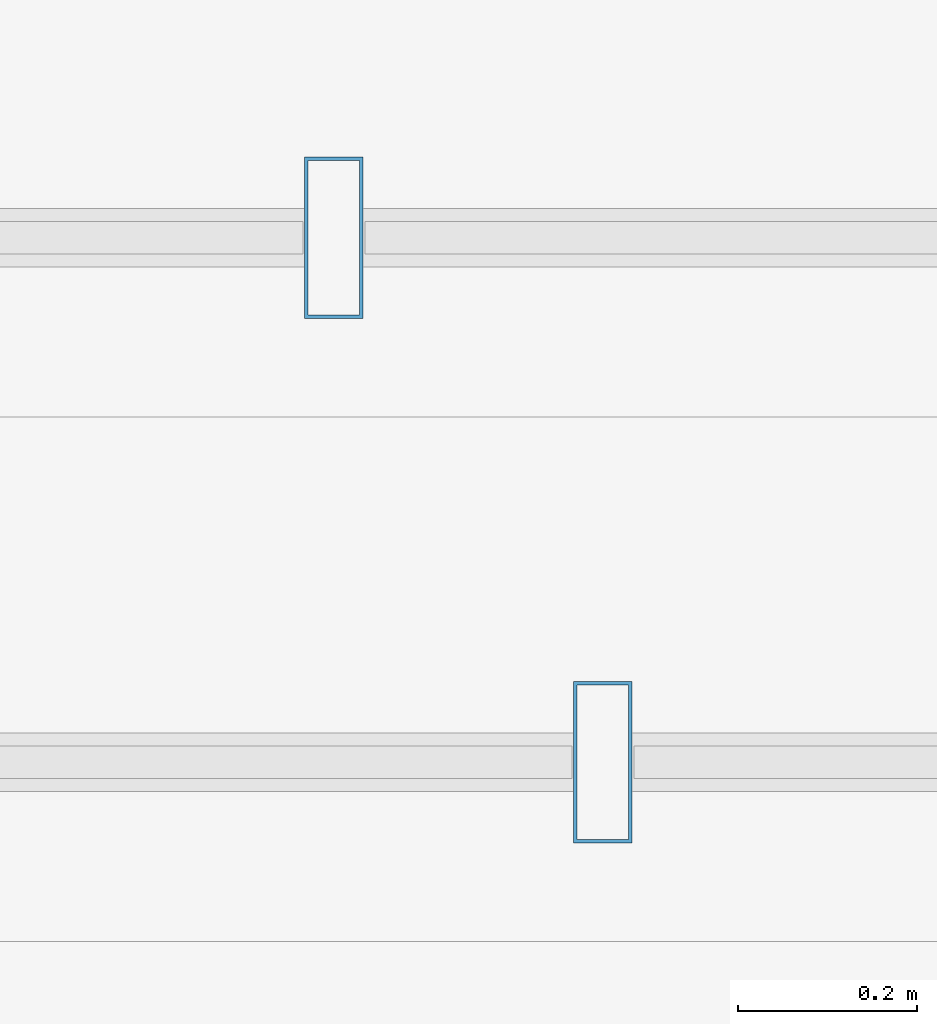
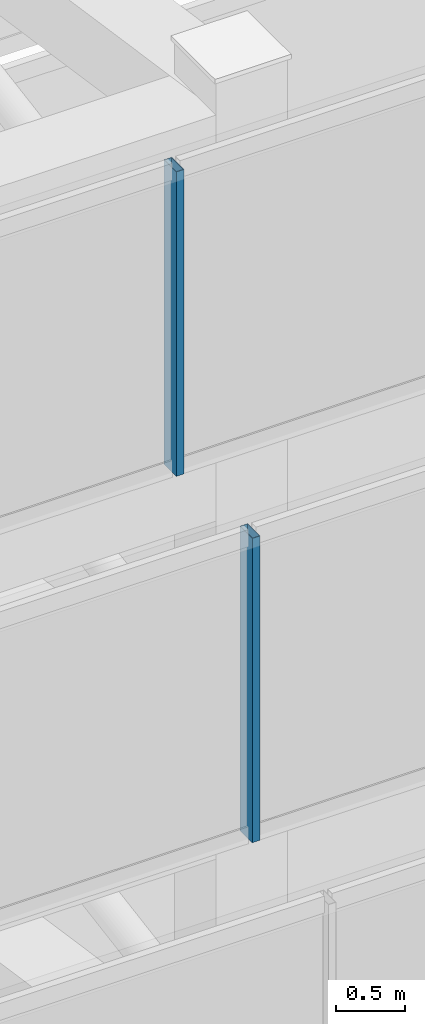
# One storey, part 10 of 29: 2 members, 2 elements without a shape of their own.
"""IFC4 building model written with IfcOpenShell, lengths in metres."""

from ifc_helpers import new_model, si_unit, direction, frame, origin, origin_2d, place, context, subcontext, project, spatial, hollow_rectangle, extrude, material, material_profile, profile_set, type_object, element, aggregate, save


model = new_model("IFC4")

# Units and contexts
model_context = context("Model", 3, precision=1e-05, world=origin(), true_north=direction((0.0, 1.0)))
body_context = subcontext(model_context, "Body", "Model", "MODEL_VIEW")
ifc_project = project(units=[si_unit("LENGTHUNIT", "METRE"), si_unit("AREAUNIT", "SQUARE_METRE"), si_unit("VOLUMEUNIT", "CUBIC_METRE"), si_unit("PLANEANGLEUNIT", "RADIAN"), si_unit("MASSUNIT", "GRAM", prefix="KILO")], contexts=[model_context])

# Site, building, storey
site_placement = place(None, origin())
site = spatial("IfcSite", under=ifc_project, at=site_placement, CompositionType="ELEMENT")
building_placement = place(site_placement, origin())
building = spatial("IfcBuilding", under=site, at=building_placement, Name="Saevonmaru Cultural Tower", CompositionType="ELEMENT")
storey_placement = place(building_placement, frame((0.0, 0.0, 327.60009765625)))
storey = spatial("IfcBuildingStorey", under=building, at=storey_placement, Name="RF", CompositionType="ELEMENT", Elevation=327.60009765625)

# Curtain wall, member
ifc_material = material(Name="Satin Bronze Anodised Aluminium", Category="aluminium")
curtain_wall_type = type_object("IfcCurtainWallType", Name="CW-TYP-B", PredefinedType="NOTDEFINED", material=ifc_material)
curtain_wall_1_placement = place(storey_placement, origin())
curtain_wall_1 = element("IfcCurtainWall", 1, at=curtain_wall_1_placement, inside=storey, type_object=curtain_wall_type, Name="RF Ziggurat Crown Tier 5 Bronze Louvre Screen 1", PredefinedType="NOTDEFINED")
ifc_material_profile = material_profile(ifc_material, hollow_rectangle(XDim=0.06494140625, YDim=0.179931640625, WallThickness=0.00390625, at=origin_2d()), Name="ALU-MULL-180x65x4")
ifc_profile_set = profile_set([ifc_material_profile], Name="Satin Bronze Anodised Aluminium")
member_type = type_object("IfcMemberType", Name="ML-CW-180x65", PredefinedType="MULLION", material=ifc_profile_set)
member_1_placement = place(storey_placement, frame((35.822265625, 41.125, 12.0), z_axis=(0.0, 0.0, 1.0), x_axis=(1.0, 0.0, 0.0)))
member_1 = element("IfcMember", 2, at=member_1_placement, type_object=member_type, Name="CW-CROWN-T5-1 mullion 3", PredefinedType="MULLION", context=body_context, shape_type="SweptSolid", body=[
    extrude(hollow_rectangle(XDim=0.06494140625, YDim=0.179931640625, WallThickness=0.00390625, at=origin_2d()), origin(), (0.0, 0.0, 1.0), 2.699951171875),
])
aggregate(curtain_wall_1, [member_1])

curtain_wall_2_placement = place(storey_placement, origin())
curtain_wall_2 = element("IfcCurtainWall", 3, at=curtain_wall_2_placement, inside=storey, type_object=curtain_wall_type, Name="RF Ziggurat Crown Tier 6 Bronze Louvre Screen 1", PredefinedType="NOTDEFINED")
member_2_placement = place(storey_placement, frame((35.522216796875, 41.7099609375, 15.0), z_axis=(0.0, 0.0, 1.0), x_axis=(1.0, 0.0, 0.0)))
member_2 = element("IfcMember", 4, at=member_2_placement, type_object=member_type, Name="CW-CROWN-T6-1 mullion 3", PredefinedType="MULLION", context=body_context, shape_type="SweptSolid", body=[
    extrude(hollow_rectangle(XDim=0.06494140625, YDim=0.179931640625, WallThickness=0.00390625, at=origin_2d()), origin(), (0.0, 0.0, 1.0), 2.699951171875),
])
aggregate(curtain_wall_2, [member_2])

save(model, "model.ifc")
